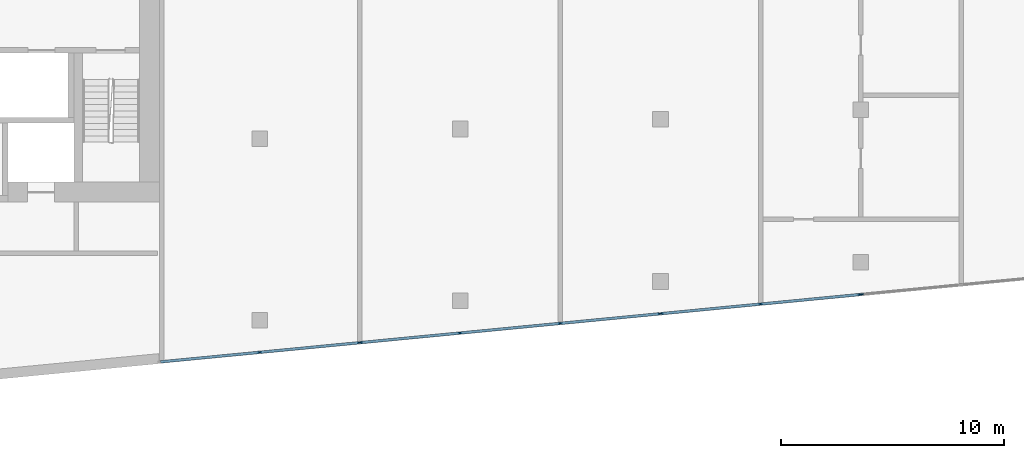
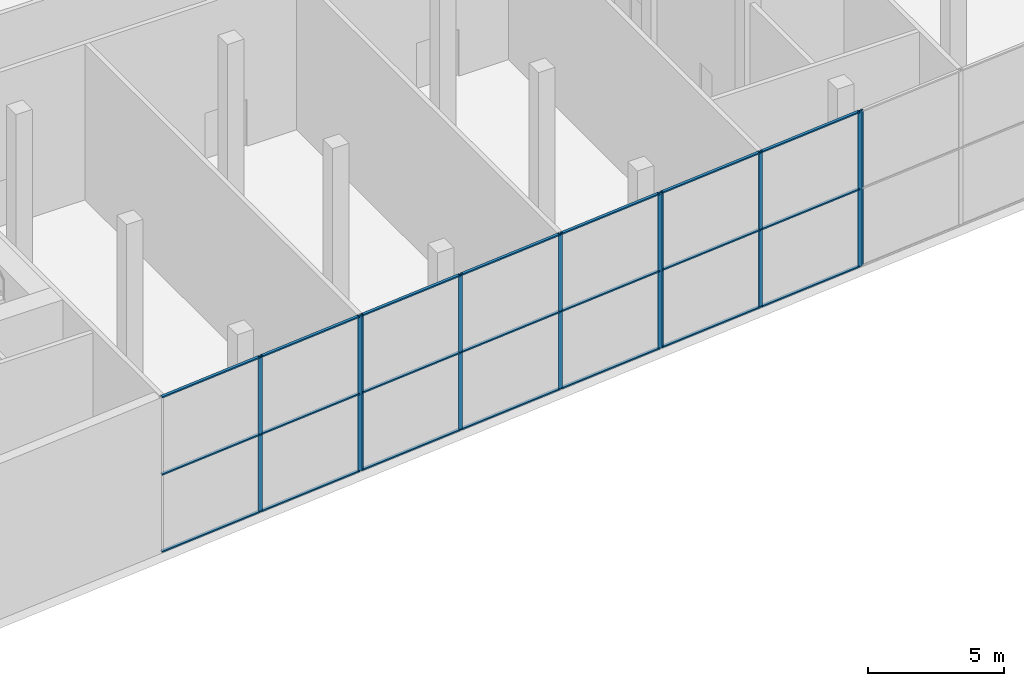
# One storey, part 4 of 25: 31 members, 4 elements without a shape of their own.
"""IFC4 building model written with IfcOpenShell, lengths in metres."""

import ifcopenshell
import ifcopenshell.guid

model = None  # the IFC model being written
_history = None  # IfcOwnerHistory: only IFC2X3 demands one
_inside = {}  # id of a spatial element -> (the spatial element, [elements in it])
_under = {}  # id of a project, library or spatial element -> (it, [spatial elements below it])
_declared = {}  # id of a project -> (the project, [libraries it declares])
_typed = {}  # id of a type object -> (the type object, [elements of that type])
_made_of = {}  # id of a material, layer set ... -> (it, [elements and type objects made of it])


def new_model(schema):
    """Start an empty IFC model of exactly this schema.

    Asked for "IFC4X3", IfcOpenShell would pick the latest addendum, in which some entities
    have other attributes; the version numbers below select the first issue.
    IFC2X3 requires an IfcOwnerHistory on every rooted entity: one is made here for all.
    """
    global model, _history
    if schema == "IFC4X3":
        model = ifcopenshell.file(schema_version=(4, 3, 0, 0))
    else:
        model = ifcopenshell.file(schema=schema)
    _inside.clear()
    _under.clear()
    _declared.clear()
    _typed.clear()
    _made_of.clear()
    _history = None
    if model.schema == "IFC2X3":
        org = make("IfcOrganization", Name="unknown")
        user = make(
            "IfcPersonAndOrganization",
            ThePerson=make("IfcPerson", FamilyName="unknown"),
            TheOrganization=org,
        )
        app = make(
            "IfcApplication",
            ApplicationDeveloper=org,
            Version="unknown",
            ApplicationFullName="unknown",
            ApplicationIdentifier="unknown",
        )
        _history = make(
            "IfcOwnerHistory",
            OwningUser=user,
            OwningApplication=app,
            ChangeAction="ADDED",
            CreationDate=0,
        )
    return model


def make(cls, **values):
    """One entity of the class cls with the attributes given. An attribute that is None is left unset."""
    return model.create_entity(
        cls, **{name: value for name, value in values.items() if value is not None}
    )


def rooted(cls, **values):
    """An entity with a GlobalId (a new one), such as an element, a storey or a relation."""
    return make(cls, GlobalId=ifcopenshell.guid.new(), OwnerHistory=_history, **values)


def si_unit(unit_type, name, prefix=None):
    """IfcSIUnit, for example si_unit("LENGTHUNIT", "METRE", prefix="MILLI")."""
    return make("IfcSIUnit", UnitType=unit_type, Prefix=prefix, Name=name)


def assignment(units):
    """IfcUnitAssignment: the units of a project."""
    return None if units is None else make("IfcUnitAssignment", Units=units)


def point(xyz):
    """IfcCartesianPoint."""
    return None if xyz is None else make("IfcCartesianPoint", Coordinates=xyz)


def direction(xyz):
    """IfcDirection."""
    return None if xyz is None else make("IfcDirection", DirectionRatios=xyz)


def frame(location, z_axis=None, x_axis=None):
    """IfcAxis2Placement3D, a coordinate frame: its origin and axes. An axis left out is left unset."""
    return make(
        "IfcAxis2Placement3D",
        Location=point(location),
        Axis=direction(z_axis),
        RefDirection=direction(x_axis),
    )


def frame_2d(location, x_axis=None):
    """IfcAxis2Placement2D, a coordinate frame in the plane: its origin and x axis."""
    return make(
        "IfcAxis2Placement2D", Location=point(location), RefDirection=direction(x_axis)
    )


def origin():
    """The frame at (0, 0, 0) with its axes left unset."""
    return frame((0.0, 0.0, 0.0))


def origin_2d():
    """The frame at (0, 0) in the plane with its x axis left unset."""
    return frame_2d((0.0, 0.0))


def place(relative_to, where):
    """IfcLocalPlacement: puts the frame where relative to a parent placement (None: the world)."""
    return make(
        "IfcLocalPlacement", PlacementRelTo=relative_to, RelativePlacement=where
    )


def context(
    kind, dimensions, precision=None, world=None, true_north=None, identifier=None
):
    """IfcGeometricRepresentationContext, for example the 3D "Model" context."""
    return make(
        "IfcGeometricRepresentationContext",
        ContextIdentifier=identifier,
        ContextType=kind,
        CoordinateSpaceDimension=dimensions,
        Precision=precision,
        WorldCoordinateSystem=world,
        TrueNorth=true_north,
    )


def subcontext(parent, identifier, kind, view, scale=None):
    """IfcGeometricRepresentationSubContext, for example "Body" below "Model"."""
    return make(
        "IfcGeometricRepresentationSubContext",
        ContextIdentifier=identifier,
        ContextType=kind,
        ParentContext=parent,
        TargetScale=scale,
        TargetView=view,
    )


def project(units=None, contexts=None):
    """IfcProject with its units and contexts."""
    return rooted(
        "IfcProject",
        Name="project",
        RepresentationContexts=contexts,
        UnitsInContext=assignment(units),
    )


def spatial(cls, under=None, at=None, **own):
    """A site, building, storey or space (cls), placed at a placement, below another one or the project."""
    s = rooted(cls, ObjectPlacement=at, **own)
    if under is not None:
        _under.setdefault(under.id(), (under, []))[1].append(s)
    return s


def profile(cls, at=None, kind="AREA", **sizes):
    """A parametric profile (cls). Its sizes go by their IFC names, for example OverallWidth=200.0."""
    return make(cls, ProfileType=kind, Position=at, **sizes)


def rectangle(**sizes):
    """IfcRectangleProfileDef."""
    return profile("IfcRectangleProfileDef", **sizes)


def extrude(swept, where, along, depth):
    """IfcExtrudedAreaSolid: the profile swept, set in the frame where, extruded along a direction by depth."""
    return make(
        "IfcExtrudedAreaSolid",
        SweptArea=swept,
        Position=where,
        ExtrudedDirection=direction(along),
        Depth=depth,
    )


def shape(context_of_items, identifier, shape_type, items):
    """IfcShapeRepresentation: the items that make up one representation, for example the "Body"."""
    return make(
        "IfcShapeRepresentation",
        ContextOfItems=context_of_items,
        RepresentationIdentifier=identifier,
        RepresentationType=shape_type,
        Items=items,
    )


def material(Name=None, Category=None):
    """IfcMaterial."""
    return make("IfcMaterial", Name=Name, Category=Category)


def material_profile(
    of_material, cross_section, Name=None, Category=None, Priority=None
):
    """IfcMaterialProfile: a cross section and its material."""
    return make(
        "IfcMaterialProfile",
        Name=Name,
        Material=of_material,
        Profile=cross_section,
        Priority=Priority,
        Category=Category,
    )


def profile_set(profiles, Name=None, composite=None):
    """IfcMaterialProfileSet."""
    return make(
        "IfcMaterialProfileSet",
        Name=Name,
        MaterialProfiles=profiles,
        CompositeProfile=composite,
    )


def made_of(thing, what):
    """Note that an element or type object is made of a material, layer set ...; save() writes the relation."""
    if what is not None:
        _made_of.setdefault(what.id(), (what, []))[1].append(thing)
    return thing


def type_object(cls, material=None, **own):
    """A type object (cls), such as IfcWallType, which elements share."""
    return made_of(rooted(cls, **own), material)


def element(
    cls,
    number,
    at=None,
    inside=None,
    cuts=None,
    type_object=None,
    material=None,
    context=None,
    identifier="Body",
    shape_type=None,
    held_by="IfcProductDefinitionShape",
    body=None,
    shapes=None,
    **own,
):
    """One element of the class cls, such as IfcWall. Its Tag is "e" and its number.

    at: its placement. inside: the storey or other place that contains it. cuts: it is an
    opening in that element (IfcRelVoidsElement). A single representation is given by context,
    identifier, shape_type and body (its items); several are given by shapes. held_by: the class
    of the entity that holds the representations. save() writes the other relations.
    """
    e = rooted(cls, Tag="e%d" % number, ObjectPlacement=at, **own)
    if body is not None:
        shapes = [shape(context, identifier, shape_type, body)]
    if shapes is not None:
        e.Representation = make(held_by, Representations=shapes)
    if inside is not None:
        _inside.setdefault(inside.id(), (inside, []))[1].append(e)
    if cuts is not None:
        rooted(
            "IfcRelVoidsElement", RelatingBuildingElement=cuts, RelatedOpeningElement=e
        )
    if type_object is not None:
        _typed.setdefault(type_object.id(), (type_object, []))[1].append(e)
    return made_of(e, material)


def aggregate(whole, parts):
    """IfcRelAggregates: a whole, such as a stair, and the parts it consists of."""
    return rooted("IfcRelAggregates", RelatingObject=whole, RelatedObjects=parts)


def save(model, path):
    """Write the relations noted so far, then the file.

    IfcRelAggregates (storeys below a building ...), IfcRelContainedInSpatialStructure (elements
    in a storey), IfcRelDefinesByType, IfcRelAssociatesMaterial and IfcRelDeclares: one each for
    every whole, place, type object, material and project.
    """
    for whole, parts in _under.values():
        aggregate(whole, parts)
    for where, things in _inside.values():
        rooted(
            "IfcRelContainedInSpatialStructure",
            RelatedElements=things,
            RelatingStructure=where,
        )
    for kind, things in _typed.values():
        rooted("IfcRelDefinesByType", RelatedObjects=things, RelatingType=kind)
    for what, things in _made_of.values():
        rooted("IfcRelAssociatesMaterial", RelatedObjects=things, RelatingMaterial=what)
    for by, libraries in _declared.values():
        rooted("IfcRelDeclares", RelatingContext=by, RelatedDefinitions=libraries)
    model.write(path)


model = new_model("IFC4")

# Units and contexts
model_context = context("Model", 3, precision=1e-05, world=origin(), true_north=direction((0.0, 1.0)))
body_context = subcontext(model_context, "Body", "Model", "MODEL_VIEW")
ifc_project = project(units=[si_unit("LENGTHUNIT", "METRE"), si_unit("AREAUNIT", "SQUARE_METRE"), si_unit("VOLUMEUNIT", "CUBIC_METRE"), si_unit("PLANEANGLEUNIT", "RADIAN"), si_unit("MASSUNIT", "GRAM", prefix="KILO")], contexts=[model_context])

# Site, building, storey
site_placement = place(None, origin())
site = spatial("IfcSite", under=ifc_project, at=site_placement, CompositionType="ELEMENT")
building_placement = place(site_placement, origin())
building = spatial("IfcBuilding", under=site, at=building_placement, Name="Kajstack Hotel Tower", CompositionType="ELEMENT")
storey_placement = place(building_placement, frame((0.0, 0.0, 155.0)))
storey = spatial("IfcBuildingStorey", under=building, at=storey_placement, Name="L36", CompositionType="ELEMENT", Elevation=155.0)

# Curtain wall, members
ifc_material_1 = material(Name="Aluminium-framed curtain wall, insulated glass with fritted edge", Category="aluminium")
curtain_wall_type = type_object("IfcCurtainWallType", Name="CW-SPA", PredefinedType="NOTDEFINED", material=ifc_material_1)
curtain_wall_1_placement = place(storey_placement, origin())
curtain_wall_1 = element("IfcCurtainWall", 1, at=curtain_wall_1_placement, inside=storey, type_object=curtain_wall_type, Name="Curtain wall CU7 L36-04-02-0", PredefinedType="NOTDEFINED")
ifc_material_2 = material(Name="Aluminium", Category="aluminium")
ifc_material_profile_1 = material_profile(ifc_material_2, rectangle(XDim=0.06005859375, YDim=0.179931640625, at=origin_2d()), Name="Aluminium mullion 60 x 180")
ifc_profile_set_1 = profile_set([ifc_material_profile_1], Name="Aluminium")
member_type_1 = type_object("IfcMemberType", Name="CW-M-SPA", PredefinedType="MULLION", material=ifc_profile_set_1)
member_1_placement = place(storey_placement, frame((-9.007080078125, -22.24462890625, 0.0), z_axis=(0.0, 0.0, 1.0), x_axis=(-0.095845383606, 0.99539623389, 0.0)))
member_1 = element("IfcMember", 2, at=member_1_placement, type_object=member_type_1, Name="CU7 mullion 2", PredefinedType="MULLION", context=body_context, shape_type="SweptSolid", body=[
    extrude(rectangle(XDim=0.06005859375, YDim=0.179931640625, at=origin_2d()), origin(), (0.0, 0.0, 1.0), 7.0),
])
member_2_placement = place(storey_placement, frame((-4.537109375, -21.814208984375, 0.0), z_axis=(0.0, 0.0, 1.0), x_axis=(-0.095845383606, 0.99539623389, 0.0)))
member_2 = element("IfcMember", 3, at=member_2_placement, type_object=member_type_1, Name="CU7 mullion 3", PredefinedType="MULLION", context=body_context, shape_type="SweptSolid", body=[
    extrude(rectangle(XDim=0.06005859375, YDim=0.179931640625, at=origin_2d()), origin(), (0.0, 0.0, 1.0), 7.0),
])

curtain_wall_2_placement = place(storey_placement, origin())
curtain_wall_2 = element("IfcCurtainWall", 4, at=curtain_wall_2_placement, inside=storey, type_object=curtain_wall_type, Name="Curtain wall CU7 L36-04-02-1", PredefinedType="NOTDEFINED")
member_3_placement = place(storey_placement, frame((-4.477294921875, -21.808349609375, 0.0), z_axis=(0.0, 0.0, 1.0), x_axis=(-0.095845372418, 0.995396234967, 0.0)))
member_3 = element("IfcMember", 5, at=member_3_placement, type_object=member_type_1, Name="CU7 mullion 1", PredefinedType="MULLION", context=body_context, shape_type="SweptSolid", body=[
    extrude(rectangle(XDim=0.06005859375, YDim=0.179931640625, at=origin_2d()), origin(), (0.0, 0.0, 1.0), 7.0),
])
member_4_placement = place(storey_placement, frame((-0.007080078125, -21.3779296875, 0.0), z_axis=(0.0, 0.0, 1.0), x_axis=(-0.095845372418, 0.995396234967, 0.0)))
member_4 = element("IfcMember", 6, at=member_4_placement, type_object=member_type_1, Name="CU7 mullion 2", PredefinedType="MULLION", context=body_context, shape_type="SweptSolid", body=[
    extrude(rectangle(XDim=0.06005859375, YDim=0.179931640625, at=origin_2d()), origin(), (0.0, 0.0, 1.0), 7.0),
])
member_5_placement = place(storey_placement, frame((4.492919921875, -20.94482421875, 0.0), z_axis=(0.0, 0.0, 1.0), x_axis=(-0.095845372418, 0.995396234967, 0.0)))
member_5 = element("IfcMember", 7, at=member_5_placement, type_object=member_type_1, Name="CU7 mullion 3", PredefinedType="MULLION", context=body_context, shape_type="SweptSolid", body=[
    extrude(rectangle(XDim=0.06005859375, YDim=0.179931640625, at=origin_2d()), origin(), (0.0, 0.0, 1.0), 7.0),
])
member_6_placement = place(storey_placement, frame((8.962890625, -20.514404296875, 0.0), z_axis=(0.0, 0.0, 1.0), x_axis=(-0.095845372418, 0.995396234967, 0.0)))
member_6 = element("IfcMember", 8, at=member_6_placement, type_object=member_type_1, Name="CU7 mullion 4", PredefinedType="MULLION", context=body_context, shape_type="SweptSolid", body=[
    extrude(rectangle(XDim=0.06005859375, YDim=0.179931640625, at=origin_2d()), origin(), (0.0, 0.0, 1.0), 7.0),
])

curtain_wall_3_placement = place(storey_placement, origin())
curtain_wall_3 = element("IfcCurtainWall", 9, at=curtain_wall_3_placement, inside=storey, type_object=curtain_wall_type, Name="Curtain wall CU7 L36-04-02-2", PredefinedType="NOTDEFINED")
member_7_placement = place(storey_placement, frame((9.022705078125, -20.508544921875, 0.0), z_axis=(0.0, 0.0, 1.0), x_axis=(-0.095845342936, 0.995396237806, 0.0)))
member_7 = element("IfcMember", 10, at=member_7_placement, type_object=member_type_1, Name="CU7 mullion 1", PredefinedType="MULLION", context=body_context, shape_type="SweptSolid", body=[
    extrude(rectangle(XDim=0.06005859375, YDim=0.179931640625, at=origin_2d()), origin(), (0.0, 0.0, 1.0), 7.0),
])
member_8_placement = place(storey_placement, frame((13.49267578125, -20.078125, 0.0), z_axis=(0.0, 0.0, 1.0), x_axis=(-0.095845342936, 0.995396237806, 0.0)))
member_8 = element("IfcMember", 11, at=member_8_placement, type_object=member_type_1, Name="CU7 mullion 2", PredefinedType="MULLION", context=body_context, shape_type="SweptSolid", body=[
    extrude(rectangle(XDim=0.06005859375, YDim=0.179931640625, at=origin_2d()), origin(), (0.0, 0.0, 1.0), 7.0),
])
member_9_placement = place(storey_placement, frame((17.962890625, -19.647705078125, 0.0), z_axis=(0.0, 0.0, 1.0), x_axis=(-0.095845342936, 0.995396237806, 0.0)))
member_9 = element("IfcMember", 12, at=member_9_placement, type_object=member_type_1, Name="CU7 mullion 3", PredefinedType="MULLION", context=body_context, shape_type="SweptSolid", body=[
    extrude(rectangle(XDim=0.06005859375, YDim=0.179931640625, at=origin_2d()), origin(), (0.0, 0.0, 1.0), 7.0),
])

# Curtain wall, member
curtain_wall_4_placement = place(storey_placement, origin())
curtain_wall_4 = element("IfcCurtainWall", 13, at=curtain_wall_4_placement, inside=storey, type_object=curtain_wall_type, Name="Curtain wall CU7 L36-04-02-3", PredefinedType="NOTDEFINED")
member_10_placement = place(storey_placement, frame((18.022705078125, -19.641845703125, 0.0), z_axis=(0.0, 0.0, 1.0), x_axis=(-0.095845332373, 0.995396238823, 0.0)))
member_10 = element("IfcMember", 14, at=member_10_placement, type_object=member_type_1, Name="CU7 mullion 1", PredefinedType="MULLION", context=body_context, shape_type="SweptSolid", body=[
    extrude(rectangle(XDim=0.06005859375, YDim=0.179931640625, at=origin_2d()), origin(), (0.0, 0.0, 1.0), 7.0),
])
aggregate(curtain_wall_4, [member_10])

# Member
ifc_material_profile_2 = material_profile(ifc_material_2, rectangle(XDim=0.1201171875, YDim=0.06005859375, at=origin_2d()), Name="Aluminium transom 120 x 60")
ifc_profile_set_2 = profile_set([ifc_material_profile_2], Name="Aluminium")
member_type_2 = type_object("IfcMemberType", Name="CW-T-SPA", PredefinedType="USERDEFINED", material=ifc_profile_set_2)
member_11_placement = place(storey_placement, frame((-13.447509765625, -22.672119140625, 0.030029296875), z_axis=(0.995398624916, 0.095820548504, 0.0), x_axis=(-0.095820548504, 0.995398624916, 0.0)))
member_11 = element("IfcMember", 15, at=member_11_placement, type_object=member_type_2, Name="CU7 transom 1.1", ObjectType="TRANSOM", PredefinedType="USERDEFINED", context=body_context, shape_type="SweptSolid", body=[
    extrude(rectangle(XDim=0.1201171875, YDim=0.06005859375, at=origin_2d()), origin(), (0.0, 0.0, 1.0), 4.430908203125),
])

member_12_placement = place(storey_placement, frame((-13.447509765625, -22.672119140625, 3.5), z_axis=(0.995398624916, 0.095820548504, 0.0), x_axis=(-0.095820548504, 0.995398624916, 0.0)))
member_12 = element("IfcMember", 16, at=member_12_placement, type_object=member_type_2, Name="CU7 transom 1.2", ObjectType="TRANSOM", PredefinedType="USERDEFINED", context=body_context, shape_type="SweptSolid", body=[
    extrude(rectangle(XDim=0.1201171875, YDim=0.06005859375, at=origin_2d()), origin(), (0.0, 0.0, 1.0), 4.430908203125),
])

member_13_placement = place(storey_placement, frame((-13.447509765625, -22.672119140625, 6.969970703125), z_axis=(0.995398624916, 0.095820548504, 0.0), x_axis=(-0.095820548504, 0.995398624916, 0.0)))
member_13 = element("IfcMember", 17, at=member_13_placement, type_object=member_type_2, Name="CU7 transom 1.3", ObjectType="TRANSOM", PredefinedType="USERDEFINED", context=body_context, shape_type="SweptSolid", body=[
    extrude(rectangle(XDim=0.1201171875, YDim=0.06005859375, at=origin_2d()), origin(), (0.0, 0.0, 1.0), 4.430908203125),
])

member_14_placement = place(storey_placement, frame((-8.977294921875, -22.24169921875, 0.030029296875), z_axis=(0.995398624916, 0.095820548504, 0.0), x_axis=(-0.095820548504, 0.995398624916, 0.0)))
member_14 = element("IfcMember", 18, at=member_14_placement, type_object=member_type_2, Name="CU7 transom 2.1", ObjectType="TRANSOM", PredefinedType="USERDEFINED", context=body_context, shape_type="SweptSolid", body=[
    extrude(rectangle(XDim=0.1201171875, YDim=0.06005859375, at=origin_2d()), origin(), (0.0, 0.0, 1.0), 4.430908203125),
])

member_15_placement = place(storey_placement, frame((-8.977294921875, -22.24169921875, 3.5), z_axis=(0.995398624916, 0.095820548504, 0.0), x_axis=(-0.095820548504, 0.995398624916, 0.0)))
member_15 = element("IfcMember", 19, at=member_15_placement, type_object=member_type_2, Name="CU7 transom 2.2", ObjectType="TRANSOM", PredefinedType="USERDEFINED", context=body_context, shape_type="SweptSolid", body=[
    extrude(rectangle(XDim=0.1201171875, YDim=0.06005859375, at=origin_2d()), origin(), (0.0, 0.0, 1.0), 4.430908203125),
])

member_16_placement = place(storey_placement, frame((-8.977294921875, -22.24169921875, 6.969970703125), z_axis=(0.995398624916, 0.095820548504, 0.0), x_axis=(-0.095820548504, 0.995398624916, 0.0)))
member_16 = element("IfcMember", 20, at=member_16_placement, type_object=member_type_2, Name="CU7 transom 2.3", ObjectType="TRANSOM", PredefinedType="USERDEFINED", context=body_context, shape_type="SweptSolid", body=[
    extrude(rectangle(XDim=0.1201171875, YDim=0.06005859375, at=origin_2d()), origin(), (0.0, 0.0, 1.0), 4.430908203125),
])

aggregate(curtain_wall_1, [member_1, member_2, member_11, member_12, member_13, member_14, member_15, member_16])

member_17_placement = place(storey_placement, frame((-4.447509765625, -21.8056640625, 0.030029296875), z_axis=(0.995393367938, 0.095875143106, 0.0), x_axis=(-0.095875143106, 0.995393367938, 0.0)))
member_17 = element("IfcMember", 21, at=member_17_placement, type_object=member_type_2, Name="CU7 transom 1.1", ObjectType="TRANSOM", PredefinedType="USERDEFINED", context=body_context, shape_type="SweptSolid", body=[
    extrude(rectangle(XDim=0.1201171875, YDim=0.06005859375, at=origin_2d()), origin(), (0.0, 0.0, 1.0), 4.430908203125),
])

member_18_placement = place(storey_placement, frame((-4.447509765625, -21.8056640625, 3.5), z_axis=(0.995393367938, 0.095875143106, 0.0), x_axis=(-0.095875143106, 0.995393367938, 0.0)))
member_18 = element("IfcMember", 22, at=member_18_placement, type_object=member_type_2, Name="CU7 transom 1.2", ObjectType="TRANSOM", PredefinedType="USERDEFINED", context=body_context, shape_type="SweptSolid", body=[
    extrude(rectangle(XDim=0.1201171875, YDim=0.06005859375, at=origin_2d()), origin(), (0.0, 0.0, 1.0), 4.430908203125),
])

member_19_placement = place(storey_placement, frame((-4.447509765625, -21.8056640625, 6.969970703125), z_axis=(0.995393367938, 0.095875143106, 0.0), x_axis=(-0.095875143106, 0.995393367938, 0.0)))
member_19 = element("IfcMember", 23, at=member_19_placement, type_object=member_type_2, Name="CU7 transom 1.3", ObjectType="TRANSOM", PredefinedType="USERDEFINED", context=body_context, shape_type="SweptSolid", body=[
    extrude(rectangle(XDim=0.1201171875, YDim=0.06005859375, at=origin_2d()), origin(), (0.0, 0.0, 1.0), 4.430908203125),
])

member_20_placement = place(storey_placement, frame((0.022705078125, -21.375244140625, 0.030029296875), z_axis=(0.995392066753, 0.095888651287, 0.0), x_axis=(-0.095888651287, 0.995392066753, 0.0)))
member_20 = element("IfcMember", 24, at=member_20_placement, type_object=member_type_2, Name="CU7 transom 2.1", ObjectType="TRANSOM", PredefinedType="USERDEFINED", context=body_context, shape_type="SweptSolid", body=[
    extrude(rectangle(XDim=0.1201171875, YDim=0.06005859375, at=origin_2d()), origin(), (0.0, 0.0, 1.0), 4.460693359375),
])

member_21_placement = place(storey_placement, frame((0.022705078125, -21.375244140625, 3.5), z_axis=(0.995392066753, 0.095888651287, 0.0), x_axis=(-0.095888651287, 0.995392066753, 0.0)))
member_21 = element("IfcMember", 25, at=member_21_placement, type_object=member_type_2, Name="CU7 transom 2.2", ObjectType="TRANSOM", PredefinedType="USERDEFINED", context=body_context, shape_type="SweptSolid", body=[
    extrude(rectangle(XDim=0.1201171875, YDim=0.06005859375, at=origin_2d()), origin(), (0.0, 0.0, 1.0), 4.460693359375),
])

member_22_placement = place(storey_placement, frame((0.022705078125, -21.375244140625, 6.969970703125), z_axis=(0.995392066753, 0.095888651287, 0.0), x_axis=(-0.095888651287, 0.995392066753, 0.0)))
member_22 = element("IfcMember", 26, at=member_22_placement, type_object=member_type_2, Name="CU7 transom 2.3", ObjectType="TRANSOM", PredefinedType="USERDEFINED", context=body_context, shape_type="SweptSolid", body=[
    extrude(rectangle(XDim=0.1201171875, YDim=0.06005859375, at=origin_2d()), origin(), (0.0, 0.0, 1.0), 4.460693359375),
])

member_23_placement = place(storey_placement, frame((4.522705078125, -20.94189453125, 0.030029296875), z_axis=(0.995393367938, 0.095875143106, 0.0), x_axis=(-0.095875143106, 0.995393367938, 0.0)))
member_23 = element("IfcMember", 27, at=member_23_placement, type_object=member_type_2, Name="CU7 transom 3.1", ObjectType="TRANSOM", PredefinedType="USERDEFINED", context=body_context, shape_type="SweptSolid", body=[
    extrude(rectangle(XDim=0.1201171875, YDim=0.06005859375, at=origin_2d()), origin(), (0.0, 0.0, 1.0), 4.430908203125),
])

member_24_placement = place(storey_placement, frame((4.522705078125, -20.94189453125, 3.5), z_axis=(0.995393367938, 0.095875143106, 0.0), x_axis=(-0.095875143106, 0.995393367938, 0.0)))
member_24 = element("IfcMember", 28, at=member_24_placement, type_object=member_type_2, Name="CU7 transom 3.2", ObjectType="TRANSOM", PredefinedType="USERDEFINED", context=body_context, shape_type="SweptSolid", body=[
    extrude(rectangle(XDim=0.1201171875, YDim=0.06005859375, at=origin_2d()), origin(), (0.0, 0.0, 1.0), 4.430908203125),
])

member_25_placement = place(storey_placement, frame((4.522705078125, -20.94189453125, 6.969970703125), z_axis=(0.995393367938, 0.095875143106, 0.0), x_axis=(-0.095875143106, 0.995393367938, 0.0)))
member_25 = element("IfcMember", 29, at=member_25_placement, type_object=member_type_2, Name="CU7 transom 3.3", ObjectType="TRANSOM", PredefinedType="USERDEFINED", context=body_context, shape_type="SweptSolid", body=[
    extrude(rectangle(XDim=0.1201171875, YDim=0.06005859375, at=origin_2d()), origin(), (0.0, 0.0, 1.0), 4.430908203125),
])

aggregate(curtain_wall_2, [member_3, member_4, member_5, member_6, member_17, member_18, member_19, member_20, member_21, member_22, member_23, member_24, member_25])

member_26_placement = place(storey_placement, frame((9.052490234375, -20.505615234375, 0.030029296875), z_axis=(0.995398624916, 0.095820548504, 0.0), x_axis=(-0.095820548504, 0.995398624916, 0.0)))
member_26 = element("IfcMember", 30, at=member_26_placement, type_object=member_type_2, Name="CU7 transom 1.1", ObjectType="TRANSOM", PredefinedType="USERDEFINED", context=body_context, shape_type="SweptSolid", body=[
    extrude(rectangle(XDim=0.1201171875, YDim=0.06005859375, at=origin_2d()), origin(), (0.0, 0.0, 1.0), 4.430908203125),
])

member_27_placement = place(storey_placement, frame((9.052490234375, -20.505615234375, 3.5), z_axis=(0.995398624916, 0.095820548504, 0.0), x_axis=(-0.095820548504, 0.995398624916, 0.0)))
member_27 = element("IfcMember", 31, at=member_27_placement, type_object=member_type_2, Name="CU7 transom 1.2", ObjectType="TRANSOM", PredefinedType="USERDEFINED", context=body_context, shape_type="SweptSolid", body=[
    extrude(rectangle(XDim=0.1201171875, YDim=0.06005859375, at=origin_2d()), origin(), (0.0, 0.0, 1.0), 4.430908203125),
])

member_28_placement = place(storey_placement, frame((9.052490234375, -20.505615234375, 6.969970703125), z_axis=(0.995398624916, 0.095820548504, 0.0), x_axis=(-0.095820548504, 0.995398624916, 0.0)))
member_28 = element("IfcMember", 32, at=member_28_placement, type_object=member_type_2, Name="CU7 transom 1.3", ObjectType="TRANSOM", PredefinedType="USERDEFINED", context=body_context, shape_type="SweptSolid", body=[
    extrude(rectangle(XDim=0.1201171875, YDim=0.06005859375, at=origin_2d()), origin(), (0.0, 0.0, 1.0), 4.430908203125),
])

member_29_placement = place(storey_placement, frame((13.522705078125, -20.0751953125, 0.030029296875), z_axis=(0.995398624916, 0.095820548504, 0.0), x_axis=(-0.095820548504, 0.995398624916, 0.0)))
member_29 = element("IfcMember", 33, at=member_29_placement, type_object=member_type_2, Name="CU7 transom 2.1", ObjectType="TRANSOM", PredefinedType="USERDEFINED", context=body_context, shape_type="SweptSolid", body=[
    extrude(rectangle(XDim=0.1201171875, YDim=0.06005859375, at=origin_2d()), origin(), (0.0, 0.0, 1.0), 4.430908203125),
])

member_30_placement = place(storey_placement, frame((13.522705078125, -20.0751953125, 3.5), z_axis=(0.995398624916, 0.095820548504, 0.0), x_axis=(-0.095820548504, 0.995398624916, 0.0)))
member_30 = element("IfcMember", 34, at=member_30_placement, type_object=member_type_2, Name="CU7 transom 2.2", ObjectType="TRANSOM", PredefinedType="USERDEFINED", context=body_context, shape_type="SweptSolid", body=[
    extrude(rectangle(XDim=0.1201171875, YDim=0.06005859375, at=origin_2d()), origin(), (0.0, 0.0, 1.0), 4.430908203125),
])

member_31_placement = place(storey_placement, frame((13.522705078125, -20.0751953125, 6.969970703125), z_axis=(0.995398624916, 0.095820548504, 0.0), x_axis=(-0.095820548504, 0.995398624916, 0.0)))
member_31 = element("IfcMember", 35, at=member_31_placement, type_object=member_type_2, Name="CU7 transom 2.3", ObjectType="TRANSOM", PredefinedType="USERDEFINED", context=body_context, shape_type="SweptSolid", body=[
    extrude(rectangle(XDim=0.1201171875, YDim=0.06005859375, at=origin_2d()), origin(), (0.0, 0.0, 1.0), 4.430908203125),
])

aggregate(curtain_wall_3, [member_7, member_8, member_9, member_26, member_27, member_28, member_29, member_30, member_31])

save(model, "model.ifc")
